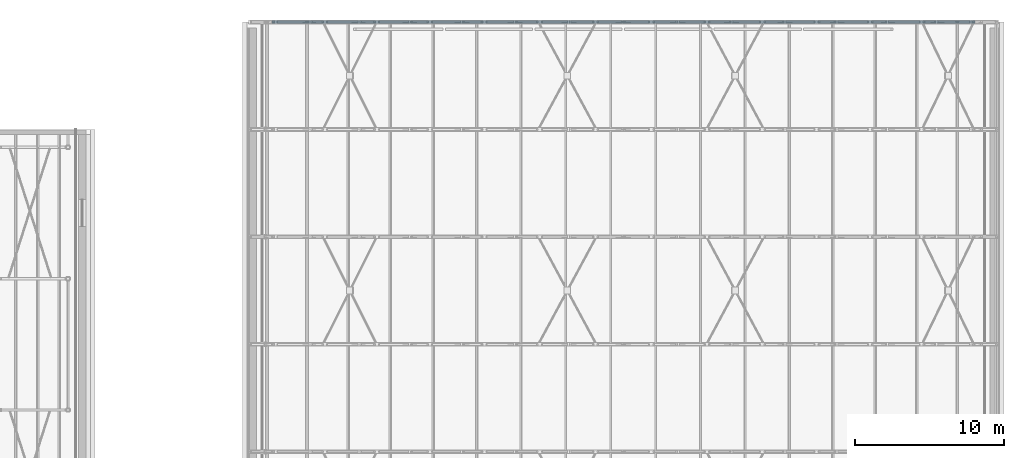
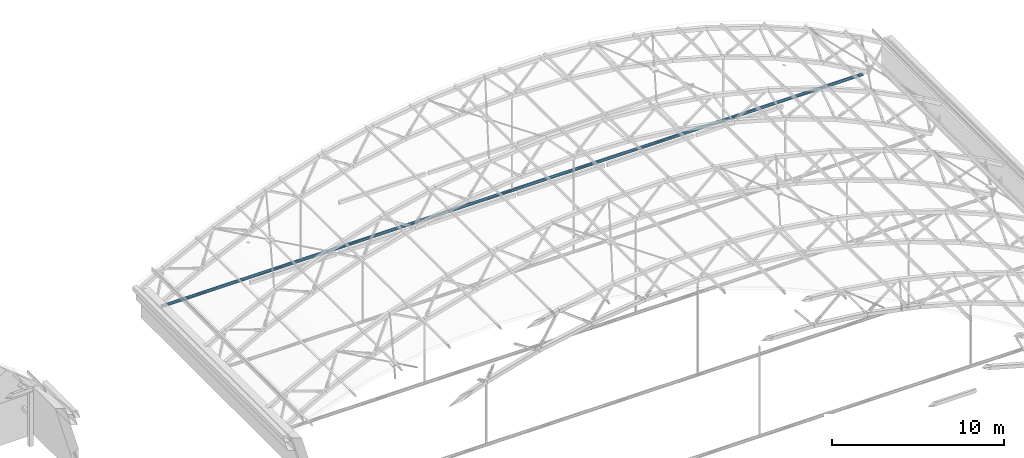
# One storey, part 64 of 127: 1 member.
"""IFC4 building model written with IfcOpenShell, lengths in metres."""

from ifc_helpers import new_model, si_unit, direction, frame, origin, origin_2d, place, context, subcontext, project, spatial, hollow_circle, extrude, material, material_profile, profile_set, type_object, element, save


model = new_model("IFC4")

# Units and contexts
model_context = context("Model", 3, precision=1e-05, world=origin(), true_north=direction((0.0, 1.0)))
body_context = subcontext(model_context, "Body", "Model", "MODEL_VIEW")
ifc_project = project(units=[si_unit("LENGTHUNIT", "METRE"), si_unit("AREAUNIT", "SQUARE_METRE"), si_unit("VOLUMEUNIT", "CUBIC_METRE"), si_unit("PLANEANGLEUNIT", "RADIAN"), si_unit("MASSUNIT", "GRAM", prefix="KILO")], contexts=[model_context])

# Site, building, storey
site_placement = place(None, origin())
site = spatial("IfcSite", under=ifc_project, at=site_placement, CompositionType="ELEMENT")
building_placement = place(site_placement, origin())
building = spatial("IfcBuilding", under=site, at=building_placement, Name="Verrick Yard Athletic Hall", CompositionType="ELEMENT")
storey_placement = place(building_placement, frame((0.0, 0.0, 14.0)))
storey = spatial("IfcBuildingStorey", under=building, at=storey_placement, Name="L03", CompositionType="ELEMENT", Elevation=14.0)

# Member
ifc_material = material(Name="Structural steel HSS Class C 350W (CSA G40.20/G40.21)", Category="steel")
ifc_material_profile = material_profile(ifc_material, hollow_circle(Radius=0.109619140625, WallThickness=0.0126953125, at=origin_2d()), Name="HSS219x13")
ifc_profile_set = profile_set([ifc_material_profile], Name="Structural steel HSS Class C 350W (CSA G40.20/G40.21)")
member_type = type_object("IfcMemberType", Name="HB tie rod HSS219x13", PredefinedType="MEMBER", material=ifc_profile_set)
member_placement = place(storey_placement, frame((122.056396484375, 108.0, 0.0), z_axis=(1.0, 0.0, 0.0), x_axis=(0.0, 1.0, 0.0)))
element("IfcMember", 1, at=member_placement, inside=storey, type_object=member_type, Name="Truss TA6 tie 1", PredefinedType="MEMBER", context=body_context, shape_type="SweptSolid", body=[
    extrude(hollow_circle(Radius=0.109619140625, WallThickness=0.0126953125, at=origin_2d()), origin(), (0.0, 0.0, 1.0), 47.08740234375),
])

save(model, "model.ifc")
